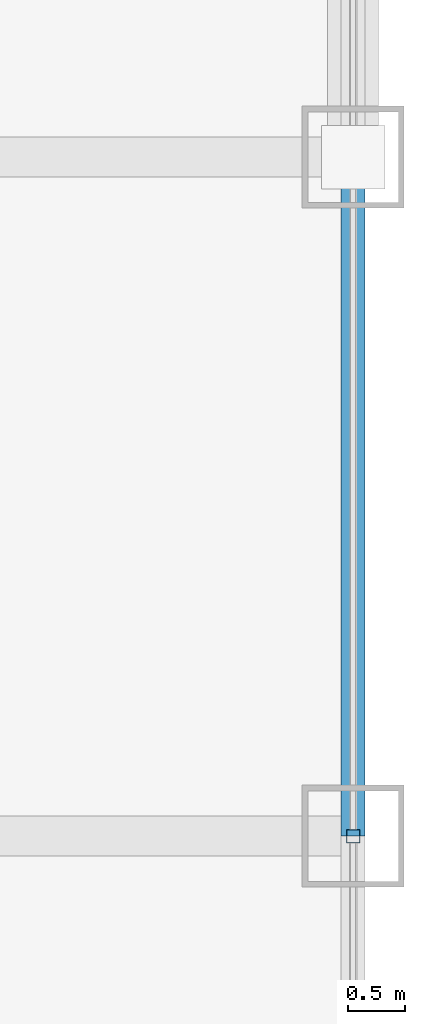
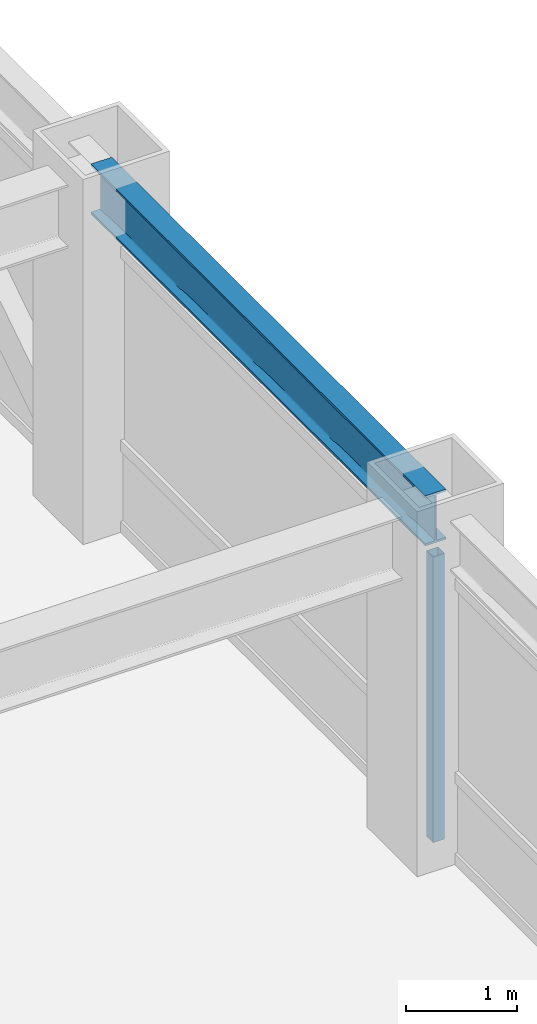
# One storey, part 10 of 22: 1 beam, 1 member, 1 element without a shape of its own.
"""IFC4 building model written with IfcOpenShell, lengths in metres."""

from ifc_helpers import new_model, si_unit, direction, frame, origin, origin_2d, place, context, subcontext, project, spatial, hollow_rectangle, i_section, extrude, source, transform, mapped, material, material_profile, profile_set, type_object, element, aggregate, save


model = new_model("IFC4")

# Units and contexts
model_context = context("Model", 3, precision=1e-05, world=origin(), true_north=direction((0.0, 1.0)))
body_context = subcontext(model_context, "Body", "Model", "MODEL_VIEW")
ifc_project = project(units=[si_unit("LENGTHUNIT", "METRE"), si_unit("AREAUNIT", "SQUARE_METRE"), si_unit("VOLUMEUNIT", "CUBIC_METRE"), si_unit("PLANEANGLEUNIT", "RADIAN"), si_unit("MASSUNIT", "GRAM", prefix="KILO")], contexts=[model_context])

# Site, building, storey
site_placement = place(None, origin())
site = spatial("IfcSite", under=ifc_project, at=site_placement, CompositionType="ELEMENT")
building_placement = place(site_placement, origin())
building = spatial("IfcBuilding", under=site, at=building_placement, Name="Khorayat Bourse Tower", CompositionType="ELEMENT")
storey_placement = place(building_placement, frame((0.0, 0.0, 289.5)))
storey = spatial("IfcBuildingStorey", under=building, at=storey_placement, Name="L68", CompositionType="ELEMENT", Elevation=289.5)

# Beam
ifc_material_1 = material(Name="Steel ASTM A992 Grade 50", Category="steel")
ifc_material_profile_1 = material_profile(ifc_material_1, i_section(OverallWidth=0.214111328125, OverallDepth=0.549072265625, WebThickness=0.0146484375, FlangeThickness=0.023681640625, FilletRadius=0.013916015625, at=origin_2d()), Name="W530X138")
ifc_profile_set_1 = profile_set([ifc_material_profile_1], Name="Steel ASTM A992 Grade 50")
beam_type = type_object("IfcBeamType", Name="BM-SPAN-530", PredefinedType="SPANDREL", material=ifc_profile_set_1)
shared_shape_1 = source(origin(), body_context, "Body", "SweptSolid", [
    extrude(i_section(OverallWidth=0.214111328125, OverallDepth=0.549072265625, WebThickness=0.0146484375, FlangeThickness=0.023681640625, FilletRadius=0.013916015625, at=origin_2d()), origin(), (0.0, 0.0, 1.0), 6.0),
])
beam_placement = place(storey_placement, frame((28.0, 0.0, 3.505615234375), z_axis=(0.0, 1.0, 0.0), x_axis=(-1.0, 0.0, 0.0)))
element("IfcBeam", 1, at=beam_placement, inside=storey, type_object=beam_type, Name="L68 BM-SPAN-530 BM-L68-SPN-038", PredefinedType="SPANDREL", context=body_context, shape_type="MappedRepresentation", body=[
    mapped(shared_shape_1, transform((0.0, 0.0, 0.0), scale=1.0)),
])

# Curtain wall, member
ifc_material_2 = material(Name="Aluminium EN AW-6063 T6", Category="aluminium")
curtain_wall_type = type_object("IfcCurtainWallType", Name="CW-SYS-04", PredefinedType="NOTDEFINED", material=ifc_material_2)
curtain_wall_placement = place(storey_placement, origin())
curtain_wall = element("IfcCurtainWall", 2, at=curtain_wall_placement, inside=storey, type_object=curtain_wall_type, Name="L68 Curtain Wall CW-L68-E1", PredefinedType="NOTDEFINED")
ifc_material_profile_2 = material_profile(ifc_material_2, hollow_rectangle(XDim=0.1201171875, YDim=0.1201171875, WallThickness=0.0048828125, at=origin_2d()), Name="ALU 120x120x5")
ifc_profile_set_2 = profile_set([ifc_material_profile_2], Name="Aluminium EN AW-6063 T6")
member_type = type_object("IfcMemberType", Name="CWM-VERT-120", PredefinedType="MULLION", material=ifc_profile_set_2)
shared_shape_2 = source(origin(), body_context, "Body", "SweptSolid", [
    extrude(hollow_rectangle(XDim=0.1201171875, YDim=0.1201171875, WallThickness=0.0048828125, at=origin_2d()), origin(), (0.0, 0.0, 1.0), 3.1298828125),
])
member_placement = place(storey_placement, frame((28.0, 0.0, 0.0), z_axis=(0.0, 0.0, 1.0), x_axis=(-1.0, 0.0, 0.0)))
member = element("IfcMember", 3, at=member_placement, type_object=member_type, Name="CW-L68-E1 Vertical Mullion 2", PredefinedType="MULLION", context=body_context, shape_type="MappedRepresentation", body=[
    mapped(shared_shape_2, transform((0.0, 0.0, 0.0), scale=1.0)),
])
aggregate(curtain_wall, [member])

save(model, "model.ifc")
